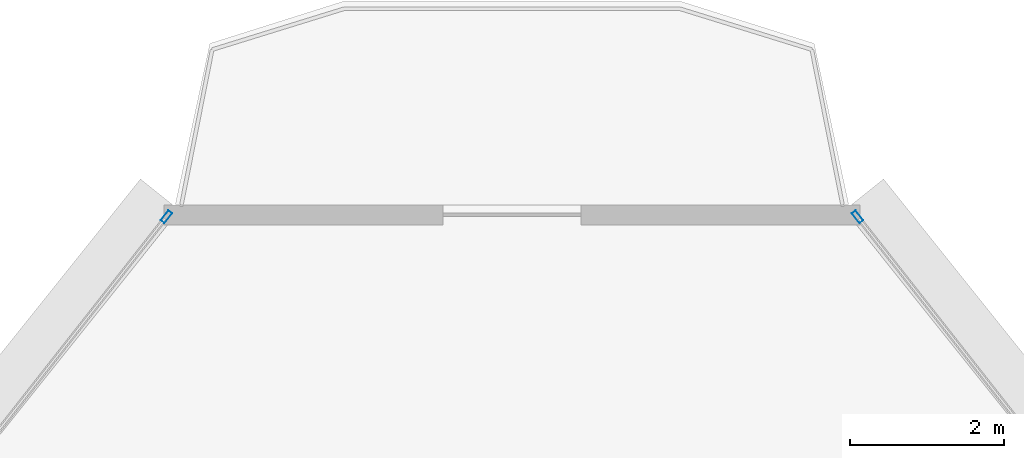
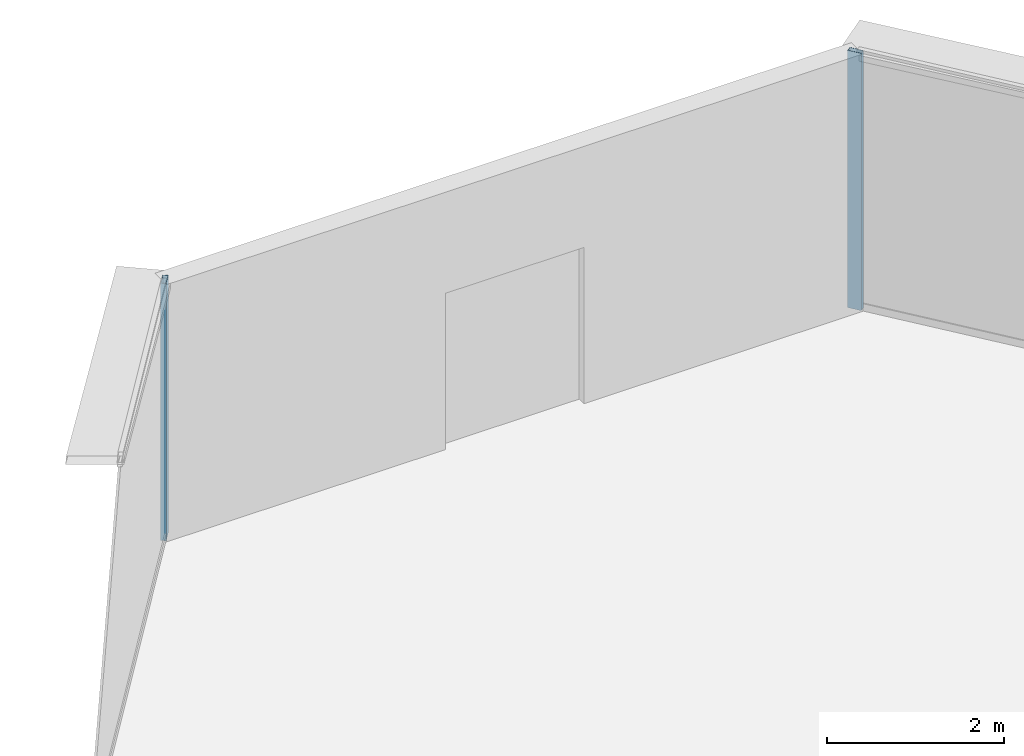
# One storey, part 28 of 41: 2 members, 2 elements without a shape of their own.
"""IFC4 building model written with IfcOpenShell, lengths in metres."""

import ifcopenshell
import ifcopenshell.guid

model = None  # the IFC model being written
_history = None  # IfcOwnerHistory: only IFC2X3 demands one
_inside = {}  # id of a spatial element -> (the spatial element, [elements in it])
_under = {}  # id of a project, library or spatial element -> (it, [spatial elements below it])
_declared = {}  # id of a project -> (the project, [libraries it declares])
_typed = {}  # id of a type object -> (the type object, [elements of that type])
_made_of = {}  # id of a material, layer set ... -> (it, [elements and type objects made of it])


def new_model(schema):
    """Start an empty IFC model of exactly this schema.

    Asked for "IFC4X3", IfcOpenShell would pick the latest addendum, in which some entities
    have other attributes; the version numbers below select the first issue.
    IFC2X3 requires an IfcOwnerHistory on every rooted entity: one is made here for all.
    """
    global model, _history
    if schema == "IFC4X3":
        model = ifcopenshell.file(schema_version=(4, 3, 0, 0))
    else:
        model = ifcopenshell.file(schema=schema)
    _inside.clear()
    _under.clear()
    _declared.clear()
    _typed.clear()
    _made_of.clear()
    _history = None
    if model.schema == "IFC2X3":
        org = make("IfcOrganization", Name="unknown")
        user = make(
            "IfcPersonAndOrganization",
            ThePerson=make("IfcPerson", FamilyName="unknown"),
            TheOrganization=org,
        )
        app = make(
            "IfcApplication",
            ApplicationDeveloper=org,
            Version="unknown",
            ApplicationFullName="unknown",
            ApplicationIdentifier="unknown",
        )
        _history = make(
            "IfcOwnerHistory",
            OwningUser=user,
            OwningApplication=app,
            ChangeAction="ADDED",
            CreationDate=0,
        )
    return model


def make(cls, **values):
    """One entity of the class cls with the attributes given. An attribute that is None is left unset."""
    return model.create_entity(
        cls, **{name: value for name, value in values.items() if value is not None}
    )


def rooted(cls, **values):
    """An entity with a GlobalId (a new one), such as an element, a storey or a relation."""
    return make(cls, GlobalId=ifcopenshell.guid.new(), OwnerHistory=_history, **values)


def si_unit(unit_type, name, prefix=None):
    """IfcSIUnit, for example si_unit("LENGTHUNIT", "METRE", prefix="MILLI")."""
    return make("IfcSIUnit", UnitType=unit_type, Prefix=prefix, Name=name)


def assignment(units):
    """IfcUnitAssignment: the units of a project."""
    return None if units is None else make("IfcUnitAssignment", Units=units)


def point(xyz):
    """IfcCartesianPoint."""
    return None if xyz is None else make("IfcCartesianPoint", Coordinates=xyz)


def direction(xyz):
    """IfcDirection."""
    return None if xyz is None else make("IfcDirection", DirectionRatios=xyz)


def frame(location, z_axis=None, x_axis=None):
    """IfcAxis2Placement3D, a coordinate frame: its origin and axes. An axis left out is left unset."""
    return make(
        "IfcAxis2Placement3D",
        Location=point(location),
        Axis=direction(z_axis),
        RefDirection=direction(x_axis),
    )


def frame_2d(location, x_axis=None):
    """IfcAxis2Placement2D, a coordinate frame in the plane: its origin and x axis."""
    return make(
        "IfcAxis2Placement2D", Location=point(location), RefDirection=direction(x_axis)
    )


def origin():
    """The frame at (0, 0, 0) with its axes left unset."""
    return frame((0.0, 0.0, 0.0))


def origin_2d():
    """The frame at (0, 0) in the plane with its x axis left unset."""
    return frame_2d((0.0, 0.0))


def place(relative_to, where):
    """IfcLocalPlacement: puts the frame where relative to a parent placement (None: the world)."""
    return make(
        "IfcLocalPlacement", PlacementRelTo=relative_to, RelativePlacement=where
    )


def context(
    kind, dimensions, precision=None, world=None, true_north=None, identifier=None
):
    """IfcGeometricRepresentationContext, for example the 3D "Model" context."""
    return make(
        "IfcGeometricRepresentationContext",
        ContextIdentifier=identifier,
        ContextType=kind,
        CoordinateSpaceDimension=dimensions,
        Precision=precision,
        WorldCoordinateSystem=world,
        TrueNorth=true_north,
    )


def subcontext(parent, identifier, kind, view, scale=None):
    """IfcGeometricRepresentationSubContext, for example "Body" below "Model"."""
    return make(
        "IfcGeometricRepresentationSubContext",
        ContextIdentifier=identifier,
        ContextType=kind,
        ParentContext=parent,
        TargetScale=scale,
        TargetView=view,
    )


def project(units=None, contexts=None):
    """IfcProject with its units and contexts."""
    return rooted(
        "IfcProject",
        Name="project",
        RepresentationContexts=contexts,
        UnitsInContext=assignment(units),
    )


def spatial(cls, under=None, at=None, **own):
    """A site, building, storey or space (cls), placed at a placement, below another one or the project."""
    s = rooted(cls, ObjectPlacement=at, **own)
    if under is not None:
        _under.setdefault(under.id(), (under, []))[1].append(s)
    return s


def profile(cls, at=None, kind="AREA", **sizes):
    """A parametric profile (cls). Its sizes go by their IFC names, for example OverallWidth=200.0."""
    return make(cls, ProfileType=kind, Position=at, **sizes)


def hollow_rectangle(**sizes):
    """IfcRectangleHollowProfileDef."""
    return profile("IfcRectangleHollowProfileDef", **sizes)


def extrude(swept, where, along, depth):
    """IfcExtrudedAreaSolid: the profile swept, set in the frame where, extruded along a direction by depth."""
    return make(
        "IfcExtrudedAreaSolid",
        SweptArea=swept,
        Position=where,
        ExtrudedDirection=direction(along),
        Depth=depth,
    )


def shape(context_of_items, identifier, shape_type, items):
    """IfcShapeRepresentation: the items that make up one representation, for example the "Body"."""
    return make(
        "IfcShapeRepresentation",
        ContextOfItems=context_of_items,
        RepresentationIdentifier=identifier,
        RepresentationType=shape_type,
        Items=items,
    )


def source(mapping_origin, context_of_items, identifier, shape_type, items):
    """IfcRepresentationMap: a shape defined once, which mapped items show again and again."""
    return make(
        "IfcRepresentationMap",
        MappingOrigin=mapping_origin,
        MappedRepresentation=shape(context_of_items, identifier, shape_type, items),
    )


def transform(
    local_origin,
    x_axis=None,
    y_axis=None,
    z_axis=None,
    scale=None,
    scale2=None,
    scale3=None,
    uniform=True,
):
    """IfcCartesianTransformationOperator3D, or its non-uniform kind. x_axis, y_axis, z_axis: its Axis1, 2, 3."""
    if uniform:
        return make(
            "IfcCartesianTransformationOperator3D",
            Axis1=direction(x_axis),
            Axis2=direction(y_axis),
            LocalOrigin=point(local_origin),
            Scale=scale,
            Axis3=direction(z_axis),
        )
    return make(
        "IfcCartesianTransformationOperator3DnonUniform",
        Axis1=direction(x_axis),
        Axis2=direction(y_axis),
        LocalOrigin=point(local_origin),
        Scale=scale,
        Axis3=direction(z_axis),
        Scale2=scale2,
        Scale3=scale3,
    )


def mapped(mapping_source, mapping_target):
    """IfcMappedItem: shows the shape of a source again, moved by a transform."""
    return make(
        "IfcMappedItem", MappingSource=mapping_source, MappingTarget=mapping_target
    )


def material(Name=None, Category=None):
    """IfcMaterial."""
    return make("IfcMaterial", Name=Name, Category=Category)


def layer(
    of_material, thickness, ventilated=None, Name=None, Category=None, Priority=None
):
    """IfcMaterialLayer: one layer of a wall or slab, of a material (None: an air gap)."""
    return make(
        "IfcMaterialLayer",
        Material=of_material,
        LayerThickness=thickness,
        IsVentilated=ventilated,
        Name=Name,
        Category=Category,
        Priority=Priority,
    )


def layer_set(layers, Name=None):
    """IfcMaterialLayerSet."""
    return make("IfcMaterialLayerSet", MaterialLayers=layers, LayerSetName=Name)


def material_profile(
    of_material, cross_section, Name=None, Category=None, Priority=None
):
    """IfcMaterialProfile: a cross section and its material."""
    return make(
        "IfcMaterialProfile",
        Name=Name,
        Material=of_material,
        Profile=cross_section,
        Priority=Priority,
        Category=Category,
    )


def profile_set(profiles, Name=None, composite=None):
    """IfcMaterialProfileSet."""
    return make(
        "IfcMaterialProfileSet",
        Name=Name,
        MaterialProfiles=profiles,
        CompositeProfile=composite,
    )


def made_of(thing, what):
    """Note that an element or type object is made of a material, layer set ...; save() writes the relation."""
    if what is not None:
        _made_of.setdefault(what.id(), (what, []))[1].append(thing)
    return thing


def type_object(cls, material=None, **own):
    """A type object (cls), such as IfcWallType, which elements share."""
    return made_of(rooted(cls, **own), material)


def element(
    cls,
    number,
    at=None,
    inside=None,
    cuts=None,
    type_object=None,
    material=None,
    context=None,
    identifier="Body",
    shape_type=None,
    held_by="IfcProductDefinitionShape",
    body=None,
    shapes=None,
    **own,
):
    """One element of the class cls, such as IfcWall. Its Tag is "e" and its number.

    at: its placement. inside: the storey or other place that contains it. cuts: it is an
    opening in that element (IfcRelVoidsElement). A single representation is given by context,
    identifier, shape_type and body (its items); several are given by shapes. held_by: the class
    of the entity that holds the representations. save() writes the other relations.
    """
    e = rooted(cls, Tag="e%d" % number, ObjectPlacement=at, **own)
    if body is not None:
        shapes = [shape(context, identifier, shape_type, body)]
    if shapes is not None:
        e.Representation = make(held_by, Representations=shapes)
    if inside is not None:
        _inside.setdefault(inside.id(), (inside, []))[1].append(e)
    if cuts is not None:
        rooted(
            "IfcRelVoidsElement", RelatingBuildingElement=cuts, RelatedOpeningElement=e
        )
    if type_object is not None:
        _typed.setdefault(type_object.id(), (type_object, []))[1].append(e)
    return made_of(e, material)


def aggregate(whole, parts):
    """IfcRelAggregates: a whole, such as a stair, and the parts it consists of."""
    return rooted("IfcRelAggregates", RelatingObject=whole, RelatedObjects=parts)


def save(model, path):
    """Write the relations noted so far, then the file.

    IfcRelAggregates (storeys below a building ...), IfcRelContainedInSpatialStructure (elements
    in a storey), IfcRelDefinesByType, IfcRelAssociatesMaterial and IfcRelDeclares: one each for
    every whole, place, type object, material and project.
    """
    for whole, parts in _under.values():
        aggregate(whole, parts)
    for where, things in _inside.values():
        rooted(
            "IfcRelContainedInSpatialStructure",
            RelatedElements=things,
            RelatingStructure=where,
        )
    for kind, things in _typed.values():
        rooted("IfcRelDefinesByType", RelatedObjects=things, RelatingType=kind)
    for what, things in _made_of.values():
        rooted("IfcRelAssociatesMaterial", RelatedObjects=things, RelatingMaterial=what)
    for by, libraries in _declared.values():
        rooted("IfcRelDeclares", RelatingContext=by, RelatedDefinitions=libraries)
    model.write(path)


model = new_model("IFC4")

# Units and contexts
model_context = context("Model", 3, precision=1e-05, world=origin(), true_north=direction((0.0, 1.0)))
body_context = subcontext(model_context, "Body", "Model", "MODEL_VIEW")
ifc_project = project(units=[si_unit("LENGTHUNIT", "METRE"), si_unit("AREAUNIT", "SQUARE_METRE"), si_unit("VOLUMEUNIT", "CUBIC_METRE"), si_unit("PLANEANGLEUNIT", "RADIAN"), si_unit("MASSUNIT", "GRAM", prefix="KILO"), si_unit("THERMODYNAMICTEMPERATUREUNIT", "KELVIN"), si_unit("POWERUNIT", "WATT")], contexts=[model_context])

# Site, building, storey
site_placement = place(None, origin())
site = spatial("IfcSite", under=ifc_project, at=site_placement, CompositionType="ELEMENT")
building_placement = place(site_placement, origin())
building = spatial("IfcBuilding", under=site, at=building_placement, Name="Yunzhuo Pagoda Commons", CompositionType="ELEMENT")
storey_placement = place(building_placement, frame((0.0, 0.0, 111.580078125)))
storey = spatial("IfcBuildingStorey", under=building, at=storey_placement, Name="L28", CompositionType="ELEMENT", Elevation=111.580078125)

# Curtain wall, member
ifc_material = material(Name="Anodized aluminium 6063-T6", Category="aluminium")
ifc_layer = layer(ifc_material, 0.1650390625)
ifc_layer_set = layer_set([ifc_layer], Name="Anodized aluminium 6063-T6")
curtain_wall_type = type_object("IfcCurtainWallType", Name="CW-LOW Low-Zone Ribbon Curtain Wall", PredefinedType="NOTDEFINED", material=ifc_layer_set)
curtain_wall_1_placement = place(storey_placement, origin())
curtain_wall_1 = element("IfcCurtainWall", 1, at=curtain_wall_1_placement, inside=storey, type_object=curtain_wall_type, Name="L28 curtain wall CW-L28-F2B5", PredefinedType="NOTDEFINED")
ifc_material_profile = material_profile(ifc_material, hollow_rectangle(XDim=0.06494140625, YDim=0.1650390625, WallThickness=0.00390625, at=origin_2d()), Name="Anodized aluminium 6063-T6")
ifc_profile_set = profile_set([ifc_material_profile], Name="Anodized aluminium 6063-T6")
member_type = type_object("IfcMemberType", Name="CW-LOW-M Mullion RHS 165x65x4", PredefinedType="MULLION", material=ifc_profile_set)
shared_shape = source(origin(), body_context, "Body", "SweptSolid", [
    extrude(hollow_rectangle(XDim=0.06494140625, YDim=0.1650390625, WallThickness=0.00390625, at=origin_2d()), origin(), (0.0, 0.0, 1.0), 3.5400390625),
])
member_1_placement = place(storey_placement, frame((52.496826171875, 86.04833984375, 0.0), z_axis=(0.0, 0.0, 1.0), x_axis=(-0.786392055703, -0.617727718925, 0.0)))
member_1 = element("IfcMember", 2, at=member_1_placement, type_object=member_type, Name="CW mullion 2", PredefinedType="MULLION", context=body_context, shape_type="MappedRepresentation", body=[
    mapped(shared_shape, transform((0.0, 0.0, 0.0), scale=1.0)),
])
aggregate(curtain_wall_1, [member_1])

curtain_wall_2_placement = place(storey_placement, origin())
curtain_wall_2 = element("IfcCurtainWall", 3, at=curtain_wall_2_placement, inside=storey, type_object=curtain_wall_type, Name="L28 curtain wall CW-L28-F3B1", PredefinedType="NOTDEFINED")
member_2_placement = place(storey_placement, frame((43.503173828125, 86.04833984375, 0.0), z_axis=(0.0, 0.0, 1.0), x_axis=(0.786392055703, -0.617727718925, 0.0)))
member_2 = element("IfcMember", 4, at=member_2_placement, type_object=member_type, Name="CW mullion 1", PredefinedType="MULLION", context=body_context, shape_type="MappedRepresentation", body=[
    mapped(shared_shape, transform((0.0, 0.0, 0.0), scale=1.0)),
])
aggregate(curtain_wall_2, [member_2])

save(model, "model.ifc")
